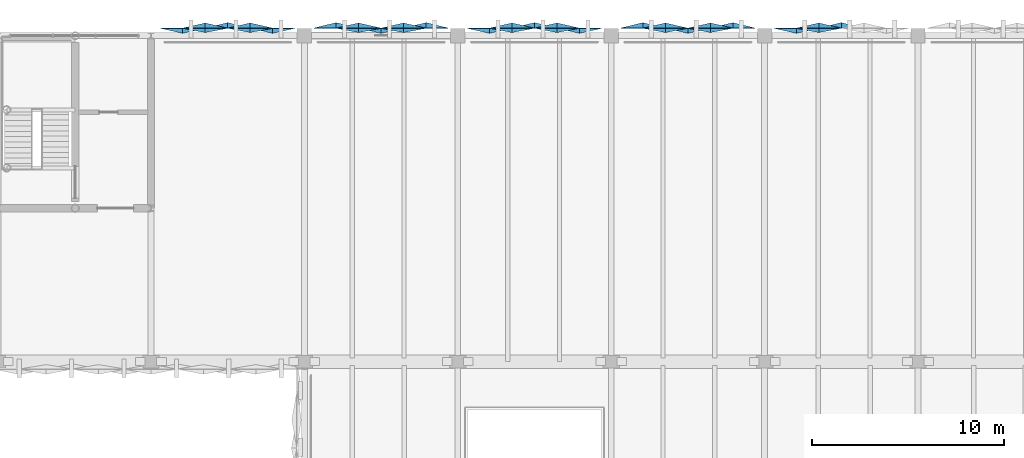
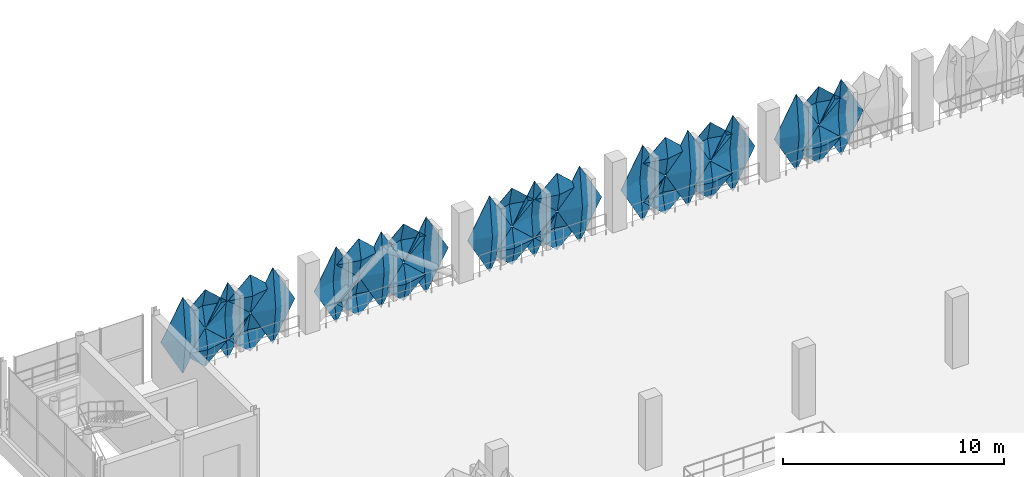
# One storey, part 67 of 83: 32 plates.
"""IFC4 building model written with IfcOpenShell, lengths in metres."""

from ifc_helpers import new_model, si_unit, derived_unit, direction, frame, origin, place, context, subcontext, project, spatial, polygons, material, layer, layer_set, type_object, element, save


model = new_model("IFC4")

# Units and contexts
model_context = context("Model", 3, precision=1e-05, world=origin(), true_north=direction((0.0, 1.0)))
body_context = subcontext(model_context, "Body", "Model", "MODEL_VIEW")
ifc_project = project(units=[si_unit("LENGTHUNIT", "METRE"), si_unit("AREAUNIT", "SQUARE_METRE"), si_unit("VOLUMEUNIT", "CUBIC_METRE"), si_unit("PLANEANGLEUNIT", "RADIAN"), si_unit("MASSUNIT", "GRAM", prefix="KILO"), si_unit("THERMODYNAMICTEMPERATUREUNIT", "KELVIN"), derived_unit("THERMALTRANSMITTANCEUNIT", [(si_unit("POWERUNIT", "WATT"), 1), (si_unit("AREAUNIT", "SQUARE_METRE"), -1), (si_unit("THERMODYNAMICTEMPERATUREUNIT", "KELVIN"), -1)])], contexts=[model_context])

# Site, building, storey
site_placement = place(None, origin())
site = spatial("IfcSite", under=ifc_project, at=site_placement, CompositionType="ELEMENT")
building_placement = place(site_placement, origin())
building = spatial("IfcBuilding", under=site, at=building_placement, Name="Haiyu Intermodal Mobility Hub", CompositionType="ELEMENT")
storey_placement = place(building_placement, frame((0.0, 0.0, 13.39990234375)))
storey = spatial("IfcBuildingStorey", under=building, at=storey_placement, Name="L03", CompositionType="ELEMENT", Elevation=13.39990234375)

# Plates
ifc_material = material(Name="Anodised aluminium 6063-T6", Category="aluminium")
ifc_layer_1 = layer(ifc_material, 0.01806640625)
ifc_layer_set_1 = layer_set([ifc_layer_1], Name="Anodised aluminium 6063-T6")
plate_type_1 = type_object("IfcPlateType", Name="PLT-FC01", PredefinedType="USERDEFINED", material=ifc_layer_set_1)
plate_1_placement = place(storey_placement, origin())
element("IfcPlate", 1, at=plate_1_placement, inside=storey, type_object=plate_type_1, Name="PLT-PYR-0018", ObjectType="FACADE CASSETTE", PredefinedType="USERDEFINED", context=body_context, shape_type="Tessellation", body=[
    polygons([(34.0, 148.39990234375, -0.510009765625), (32.846923828125, 148.39990234375, 1.60009765625), (34.0, 148.39990234375, 3.710205078125), (35.153076171875, 148.39990234375, 1.60009765625), (34.0, 148.679931640625, 1.60009765625), (34.0, 148.3779296875, -0.510009765625), (32.846923828125, 148.3779296875, 1.60009765625), (34.0, 148.3779296875, 3.710205078125), (35.153076171875, 148.3779296875, 1.60009765625), (34.0, 148.657958984375, 1.60009765625)], [[[1, 2, 5]], [[2, 3, 5]], [[3, 4, 5]], [[4, 1, 5]], [[7, 6, 10]], [[8, 7, 10]], [[9, 8, 10]], [[6, 9, 10]], [[1, 6, 7, 2]], [[2, 7, 8, 3]], [[3, 8, 9, 4]], [[4, 9, 6, 1]]], closed=True),
])
plate_2_placement = place(storey_placement, origin())
element("IfcPlate", 2, at=plate_2_placement, inside=storey, type_object=plate_type_1, Name="PLT-PYR-0020", ObjectType="FACADE CASSETTE", PredefinedType="USERDEFINED", context=body_context, shape_type="Tessellation", body=[
    polygons([(32.826904296875, 148.39990234375, 1.6201171875), (31.673095703125, 148.39990234375, 2.670166015625), (32.826904296875, 148.39990234375, 3.72021484375), (33.97998046875, 148.39990234375, 2.670166015625), (32.826904296875, 148.659912109375, 2.670166015625), (32.826904296875, 148.3779296875, 1.6201171875), (31.673095703125, 148.3779296875, 2.670166015625), (32.826904296875, 148.3779296875, 3.72021484375), (33.97998046875, 148.3779296875, 2.670166015625), (32.826904296875, 148.637939453125, 2.670166015625)], [[[1, 2, 5]], [[2, 3, 5]], [[3, 4, 5]], [[4, 1, 5]], [[7, 6, 10]], [[8, 7, 10]], [[9, 8, 10]], [[6, 9, 10]], [[1, 6, 7, 2]], [[2, 7, 8, 3]], [[3, 8, 9, 4]], [[4, 9, 6, 1]]], closed=True),
])
plate_3_placement = place(storey_placement, origin())
element("IfcPlate", 3, at=plate_3_placement, inside=storey, type_object=plate_type_1, Name="PLT-PYR-0052", ObjectType="FACADE CASSETTE", PredefinedType="USERDEFINED", context=body_context, shape_type="Tessellation", body=[
    polygons([(43.173095703125, 148.39990234375, 1.6201171875), (42.02001953125, 148.39990234375, 2.670166015625), (43.173095703125, 148.39990234375, 3.72021484375), (44.326904296875, 148.39990234375, 2.670166015625), (43.173095703125, 148.659912109375, 2.670166015625), (43.173095703125, 148.3779296875, 1.6201171875), (42.02001953125, 148.3779296875, 2.670166015625), (43.173095703125, 148.3779296875, 3.72021484375), (44.326904296875, 148.3779296875, 2.670166015625), (43.173095703125, 148.637939453125, 2.670166015625)], [[[1, 2, 5]], [[2, 3, 5]], [[3, 4, 5]], [[4, 1, 5]], [[7, 6, 10]], [[8, 7, 10]], [[9, 8, 10]], [[6, 9, 10]], [[1, 6, 7, 2]], [[2, 7, 8, 3]], [[3, 8, 9, 4]], [[4, 9, 6, 1]]], closed=True),
])
plate_4_placement = place(storey_placement, origin())
element("IfcPlate", 4, at=plate_4_placement, inside=storey, type_object=plate_type_1, Name="PLT-PYR-0088", ObjectType="FACADE CASSETTE", PredefinedType="USERDEFINED", context=body_context, shape_type="Tessellation", body=[
    polygons([(50.0, 148.39990234375, -0.510009765625), (48.846923828125, 148.39990234375, 1.60009765625), (50.0, 148.39990234375, 3.710205078125), (51.153076171875, 148.39990234375, 1.60009765625), (50.0, 148.679931640625, 1.60009765625), (50.0, 148.3779296875, -0.510009765625), (48.846923828125, 148.3779296875, 1.60009765625), (50.0, 148.3779296875, 3.710205078125), (51.153076171875, 148.3779296875, 1.60009765625), (50.0, 148.657958984375, 1.60009765625)], [[[1, 2, 5]], [[2, 3, 5]], [[3, 4, 5]], [[4, 1, 5]], [[7, 6, 10]], [[8, 7, 10]], [[9, 8, 10]], [[6, 9, 10]], [[1, 6, 7, 2]], [[2, 7, 8, 3]], [[3, 8, 9, 4]], [[4, 9, 6, 1]]], closed=True),
])
plate_5_placement = place(storey_placement, origin())
element("IfcPlate", 5, at=plate_5_placement, inside=storey, type_object=plate_type_1, Name="PLT-PYR-0090", ObjectType="FACADE CASSETTE", PredefinedType="USERDEFINED", context=body_context, shape_type="Tessellation", body=[
    polygons([(48.826904296875, 148.39990234375, 1.6201171875), (47.673095703125, 148.39990234375, 2.670166015625), (48.826904296875, 148.39990234375, 3.72021484375), (49.97998046875, 148.39990234375, 2.670166015625), (48.826904296875, 148.659912109375, 2.670166015625), (48.826904296875, 148.3779296875, 1.6201171875), (47.673095703125, 148.3779296875, 2.670166015625), (48.826904296875, 148.3779296875, 3.72021484375), (49.97998046875, 148.3779296875, 2.670166015625), (48.826904296875, 148.637939453125, 2.670166015625)], [[[1, 2, 5]], [[2, 3, 5]], [[3, 4, 5]], [[4, 1, 5]], [[7, 6, 10]], [[8, 7, 10]], [[9, 8, 10]], [[6, 9, 10]], [[1, 6, 7, 2]], [[2, 7, 8, 3]], [[3, 8, 9, 4]], [[4, 9, 6, 1]]], closed=True),
])
plate_6_placement = place(storey_placement, origin())
element("IfcPlate", 6, at=plate_6_placement, inside=storey, type_object=plate_type_1, Name="PLT-PYR-0122", ObjectType="FACADE CASSETTE", PredefinedType="USERDEFINED", context=body_context, shape_type="Tessellation", body=[
    polygons([(59.173095703125, 148.39990234375, 1.6201171875), (58.02001953125, 148.39990234375, 2.670166015625), (59.173095703125, 148.39990234375, 3.72021484375), (60.326904296875, 148.39990234375, 2.670166015625), (59.173095703125, 148.659912109375, 2.670166015625), (59.173095703125, 148.3779296875, 1.6201171875), (58.02001953125, 148.3779296875, 2.670166015625), (59.173095703125, 148.3779296875, 3.72021484375), (60.326904296875, 148.3779296875, 2.670166015625), (59.173095703125, 148.637939453125, 2.670166015625)], [[[1, 2, 5]], [[2, 3, 5]], [[3, 4, 5]], [[4, 1, 5]], [[7, 6, 10]], [[8, 7, 10]], [[9, 8, 10]], [[6, 9, 10]], [[1, 6, 7, 2]], [[2, 7, 8, 3]], [[3, 8, 9, 4]], [[4, 9, 6, 1]]], closed=True),
])
plate_7_placement = place(storey_placement, origin())
element("IfcPlate", 7, at=plate_7_placement, inside=storey, type_object=plate_type_1, Name="PLT-PYR-0158", ObjectType="FACADE CASSETTE", PredefinedType="USERDEFINED", context=body_context, shape_type="Tessellation", body=[
    polygons([(66.0, 148.39990234375, -0.510009765625), (64.846923828125, 148.39990234375, 1.60009765625), (66.0, 148.39990234375, 3.710205078125), (67.153076171875, 148.39990234375, 1.60009765625), (66.0, 148.679931640625, 1.60009765625), (66.0, 148.3779296875, -0.510009765625), (64.846923828125, 148.3779296875, 1.60009765625), (66.0, 148.3779296875, 3.710205078125), (67.153076171875, 148.3779296875, 1.60009765625), (66.0, 148.657958984375, 1.60009765625)], [[[1, 2, 5]], [[2, 3, 5]], [[3, 4, 5]], [[4, 1, 5]], [[7, 6, 10]], [[8, 7, 10]], [[9, 8, 10]], [[6, 9, 10]], [[1, 6, 7, 2]], [[2, 7, 8, 3]], [[3, 8, 9, 4]], [[4, 9, 6, 1]]], closed=True),
])
plate_8_placement = place(storey_placement, origin())
element("IfcPlate", 8, at=plate_8_placement, inside=storey, type_object=plate_type_1, Name="PLT-PYR-0160", ObjectType="FACADE CASSETTE", PredefinedType="USERDEFINED", context=body_context, shape_type="Tessellation", body=[
    polygons([(64.826904296875, 148.39990234375, 1.6201171875), (63.673095703125, 148.39990234375, 2.670166015625), (64.826904296875, 148.39990234375, 3.72021484375), (65.97998046875, 148.39990234375, 2.670166015625), (64.826904296875, 148.659912109375, 2.670166015625), (64.826904296875, 148.3779296875, 1.6201171875), (63.673095703125, 148.3779296875, 2.670166015625), (64.826904296875, 148.3779296875, 3.72021484375), (65.97998046875, 148.3779296875, 2.670166015625), (64.826904296875, 148.637939453125, 2.670166015625)], [[[1, 2, 5]], [[2, 3, 5]], [[3, 4, 5]], [[4, 1, 5]], [[7, 6, 10]], [[8, 7, 10]], [[9, 8, 10]], [[6, 9, 10]], [[1, 6, 7, 2]], [[2, 7, 8, 3]], [[3, 8, 9, 4]], [[4, 9, 6, 1]]], closed=True),
])
ifc_layer_2 = layer(ifc_material, 0.02001953125)
ifc_layer_set_2 = layer_set([ifc_layer_2], Name="Anodised aluminium 6063-T6")
plate_type_2 = type_object("IfcPlateType", Name="PLT-FC02", PredefinedType="USERDEFINED", material=ifc_layer_set_2)
plate_9_placement = place(storey_placement, origin())
element("IfcPlate", 9, at=plate_9_placement, inside=storey, type_object=plate_type_2, Name="PLT-PYR-0017", ObjectType="FACADE CASSETTE", PredefinedType="USERDEFINED", context=body_context, shape_type="Tessellation", body=[
    polygons([(35.173095703125, 148.39990234375, 1.6201171875), (34.02001953125, 148.39990234375, 2.670166015625), (35.173095703125, 148.39990234375, 3.72021484375), (36.326904296875, 148.39990234375, 2.670166015625), (35.173095703125, 148.179931640625, 2.670166015625), (35.173095703125, 148.3779296875, 1.6201171875), (34.02001953125, 148.3779296875, 2.670166015625), (35.173095703125, 148.3779296875, 3.72021484375), (36.326904296875, 148.3779296875, 2.670166015625), (35.173095703125, 148.157958984375, 2.670166015625)], [[[1, 2, 5]], [[2, 3, 5]], [[3, 4, 5]], [[4, 1, 5]], [[7, 6, 10]], [[8, 7, 10]], [[9, 8, 10]], [[6, 9, 10]], [[1, 6, 7, 2]], [[2, 7, 8, 3]], [[3, 8, 9, 4]], [[4, 9, 6, 1]]], closed=True),
])
plate_10_placement = place(storey_placement, origin())
element("IfcPlate", 10, at=plate_10_placement, inside=storey, type_object=plate_type_2, Name="PLT-PYR-0053", ObjectType="FACADE CASSETTE", PredefinedType="USERDEFINED", context=body_context, shape_type="Tessellation", body=[
    polygons([(42.0, 148.39990234375, -0.510009765625), (40.846923828125, 148.39990234375, 1.60009765625), (42.0, 148.39990234375, 3.710205078125), (43.153076171875, 148.39990234375, 1.60009765625), (42.0, 148.139892578125, 1.60009765625), (42.0, 148.3779296875, -0.510009765625), (40.846923828125, 148.3779296875, 1.60009765625), (42.0, 148.3779296875, 3.710205078125), (43.153076171875, 148.3779296875, 1.60009765625), (42.0, 148.117919921875, 1.60009765625)], [[[1, 2, 5]], [[2, 3, 5]], [[3, 4, 5]], [[4, 1, 5]], [[7, 6, 10]], [[8, 7, 10]], [[9, 8, 10]], [[6, 9, 10]], [[1, 6, 7, 2]], [[2, 7, 8, 3]], [[3, 8, 9, 4]], [[4, 9, 6, 1]]], closed=True),
])
plate_11_placement = place(storey_placement, origin())
element("IfcPlate", 11, at=plate_11_placement, inside=storey, type_object=plate_type_2, Name="PLT-PYR-0055", ObjectType="FACADE CASSETTE", PredefinedType="USERDEFINED", context=body_context, shape_type="Tessellation", body=[
    polygons([(40.826904296875, 148.39990234375, 1.6201171875), (39.673095703125, 148.39990234375, 2.670166015625), (40.826904296875, 148.39990234375, 3.72021484375), (41.97998046875, 148.39990234375, 2.670166015625), (40.826904296875, 148.179931640625, 2.670166015625), (40.826904296875, 148.3779296875, 1.6201171875), (39.673095703125, 148.3779296875, 2.670166015625), (40.826904296875, 148.3779296875, 3.72021484375), (41.97998046875, 148.3779296875, 2.670166015625), (40.826904296875, 148.157958984375, 2.670166015625)], [[[1, 2, 5]], [[2, 3, 5]], [[3, 4, 5]], [[4, 1, 5]], [[7, 6, 10]], [[8, 7, 10]], [[9, 8, 10]], [[6, 9, 10]], [[1, 6, 7, 2]], [[2, 7, 8, 3]], [[3, 8, 9, 4]], [[4, 9, 6, 1]]], closed=True),
])
plate_12_placement = place(storey_placement, origin())
element("IfcPlate", 12, at=plate_12_placement, inside=storey, type_object=plate_type_2, Name="PLT-PYR-0087", ObjectType="FACADE CASSETTE", PredefinedType="USERDEFINED", context=body_context, shape_type="Tessellation", body=[
    polygons([(51.173095703125, 148.39990234375, 1.6201171875), (50.02001953125, 148.39990234375, 2.670166015625), (51.173095703125, 148.39990234375, 3.72021484375), (52.326904296875, 148.39990234375, 2.670166015625), (51.173095703125, 148.179931640625, 2.670166015625), (51.173095703125, 148.3779296875, 1.6201171875), (50.02001953125, 148.3779296875, 2.670166015625), (51.173095703125, 148.3779296875, 3.72021484375), (52.326904296875, 148.3779296875, 2.670166015625), (51.173095703125, 148.157958984375, 2.670166015625)], [[[1, 2, 5]], [[2, 3, 5]], [[3, 4, 5]], [[4, 1, 5]], [[7, 6, 10]], [[8, 7, 10]], [[9, 8, 10]], [[6, 9, 10]], [[1, 6, 7, 2]], [[2, 7, 8, 3]], [[3, 8, 9, 4]], [[4, 9, 6, 1]]], closed=True),
])
plate_13_placement = place(storey_placement, origin())
element("IfcPlate", 13, at=plate_13_placement, inside=storey, type_object=plate_type_2, Name="PLT-PYR-0123", ObjectType="FACADE CASSETTE", PredefinedType="USERDEFINED", context=body_context, shape_type="Tessellation", body=[
    polygons([(58.0, 148.39990234375, -0.510009765625), (56.846923828125, 148.39990234375, 1.60009765625), (58.0, 148.39990234375, 3.710205078125), (59.153076171875, 148.39990234375, 1.60009765625), (58.0, 148.139892578125, 1.60009765625), (58.0, 148.3779296875, -0.510009765625), (56.846923828125, 148.3779296875, 1.60009765625), (58.0, 148.3779296875, 3.710205078125), (59.153076171875, 148.3779296875, 1.60009765625), (58.0, 148.117919921875, 1.60009765625)], [[[1, 2, 5]], [[2, 3, 5]], [[3, 4, 5]], [[4, 1, 5]], [[7, 6, 10]], [[8, 7, 10]], [[9, 8, 10]], [[6, 9, 10]], [[1, 6, 7, 2]], [[2, 7, 8, 3]], [[3, 8, 9, 4]], [[4, 9, 6, 1]]], closed=True),
])
plate_14_placement = place(storey_placement, origin())
element("IfcPlate", 14, at=plate_14_placement, inside=storey, type_object=plate_type_2, Name="PLT-PYR-0125", ObjectType="FACADE CASSETTE", PredefinedType="USERDEFINED", context=body_context, shape_type="Tessellation", body=[
    polygons([(56.826904296875, 148.39990234375, 1.6201171875), (55.673095703125, 148.39990234375, 2.670166015625), (56.826904296875, 148.39990234375, 3.72021484375), (57.97998046875, 148.39990234375, 2.670166015625), (56.826904296875, 148.179931640625, 2.670166015625), (56.826904296875, 148.3779296875, 1.6201171875), (55.673095703125, 148.3779296875, 2.670166015625), (56.826904296875, 148.3779296875, 3.72021484375), (57.97998046875, 148.3779296875, 2.670166015625), (56.826904296875, 148.157958984375, 2.670166015625)], [[[1, 2, 5]], [[2, 3, 5]], [[3, 4, 5]], [[4, 1, 5]], [[7, 6, 10]], [[8, 7, 10]], [[9, 8, 10]], [[6, 9, 10]], [[1, 6, 7, 2]], [[2, 7, 8, 3]], [[3, 8, 9, 4]], [[4, 9, 6, 1]]], closed=True),
])
ifc_layer_3 = layer(ifc_material, 0.01806640625)
ifc_layer_set_3 = layer_set([ifc_layer_3], Name="Anodised aluminium 6063-T6")
plate_type_3 = type_object("IfcPlateType", Name="PLT-FC03", PredefinedType="USERDEFINED", material=ifc_layer_set_3)
plate_15_placement = place(storey_placement, origin())
element("IfcPlate", 15, at=plate_15_placement, inside=storey, type_object=plate_type_3, Name="PLT-PYR-0056", ObjectType="FACADE CASSETTE", PredefinedType="USERDEFINED", context=body_context, shape_type="Tessellation", body=[
    polygons([(39.653076171875, 148.39990234375, -0.510009765625), (38.5, 148.39990234375, 1.60009765625), (39.653076171875, 148.39990234375, 3.710205078125), (40.806884765625, 148.39990234375, 1.60009765625), (39.653076171875, 148.679931640625, 1.60009765625), (39.653076171875, 148.3779296875, -0.510009765625), (38.5, 148.3779296875, 1.60009765625), (39.653076171875, 148.3779296875, 3.710205078125), (40.806884765625, 148.3779296875, 1.60009765625), (39.653076171875, 148.657958984375, 1.60009765625)], [[[1, 2, 5]], [[2, 3, 5]], [[3, 4, 5]], [[4, 1, 5]], [[7, 6, 10]], [[8, 7, 10]], [[9, 8, 10]], [[6, 9, 10]], [[1, 6, 7, 2]], [[2, 7, 8, 3]], [[3, 8, 9, 4]], [[4, 9, 6, 1]]], closed=True),
])
plate_16_placement = place(storey_placement, origin())
element("IfcPlate", 16, at=plate_16_placement, inside=storey, type_object=plate_type_3, Name="PLT-PYR-0126", ObjectType="FACADE CASSETTE", PredefinedType="USERDEFINED", context=body_context, shape_type="Tessellation", body=[
    polygons([(55.653076171875, 148.39990234375, -0.510009765625), (54.5, 148.39990234375, 1.60009765625), (55.653076171875, 148.39990234375, 3.710205078125), (56.806884765625, 148.39990234375, 1.60009765625), (55.653076171875, 148.679931640625, 1.60009765625), (55.653076171875, 148.3779296875, -0.510009765625), (54.5, 148.3779296875, 1.60009765625), (55.653076171875, 148.3779296875, 3.710205078125), (56.806884765625, 148.3779296875, 1.60009765625), (55.653076171875, 148.657958984375, 1.60009765625)], [[[1, 2, 5]], [[2, 3, 5]], [[3, 4, 5]], [[4, 1, 5]], [[7, 6, 10]], [[8, 7, 10]], [[9, 8, 10]], [[6, 9, 10]], [[1, 6, 7, 2]], [[2, 7, 8, 3]], [[3, 8, 9, 4]], [[4, 9, 6, 1]]], closed=True),
])
ifc_layer_4 = layer(ifc_material, 0.02001953125)
ifc_layer_set_4 = layer_set([ifc_layer_4], Name="Anodised aluminium 6063-T6")
plate_type_4 = type_object("IfcPlateType", Name="PLT-FC04", PredefinedType="USERDEFINED", material=ifc_layer_set_4)
plate_17_placement = place(storey_placement, origin())
element("IfcPlate", 17, at=plate_17_placement, inside=storey, type_object=plate_type_4, Name="PLT-PYR-0021", ObjectType="FACADE CASSETTE", PredefinedType="USERDEFINED", context=body_context, shape_type="Tessellation", body=[
    polygons([(31.653076171875, 148.39990234375, -0.510009765625), (30.5, 148.39990234375, 1.60009765625), (31.653076171875, 148.39990234375, 3.710205078125), (32.806884765625, 148.39990234375, 1.60009765625), (31.653076171875, 148.139892578125, 1.60009765625), (31.653076171875, 148.3779296875, -0.510009765625), (30.5, 148.3779296875, 1.60009765625), (31.653076171875, 148.3779296875, 3.710205078125), (32.806884765625, 148.3779296875, 1.60009765625), (31.653076171875, 148.117919921875, 1.60009765625)], [[[1, 2, 5]], [[2, 3, 5]], [[3, 4, 5]], [[4, 1, 5]], [[7, 6, 10]], [[8, 7, 10]], [[9, 8, 10]], [[6, 9, 10]], [[1, 6, 7, 2]], [[2, 7, 8, 3]], [[3, 8, 9, 4]], [[4, 9, 6, 1]]], closed=True),
])
plate_18_placement = place(storey_placement, origin())
element("IfcPlate", 18, at=plate_18_placement, inside=storey, type_object=plate_type_4, Name="PLT-PYR-0091", ObjectType="FACADE CASSETTE", PredefinedType="USERDEFINED", context=body_context, shape_type="Tessellation", body=[
    polygons([(47.653076171875, 148.39990234375, -0.510009765625), (46.5, 148.39990234375, 1.60009765625), (47.653076171875, 148.39990234375, 3.710205078125), (48.806884765625, 148.39990234375, 1.60009765625), (47.653076171875, 148.139892578125, 1.60009765625), (47.653076171875, 148.3779296875, -0.510009765625), (46.5, 148.3779296875, 1.60009765625), (47.653076171875, 148.3779296875, 3.710205078125), (48.806884765625, 148.3779296875, 1.60009765625), (47.653076171875, 148.117919921875, 1.60009765625)], [[[1, 2, 5]], [[2, 3, 5]], [[3, 4, 5]], [[4, 1, 5]], [[7, 6, 10]], [[8, 7, 10]], [[9, 8, 10]], [[6, 9, 10]], [[1, 6, 7, 2]], [[2, 7, 8, 3]], [[3, 8, 9, 4]], [[4, 9, 6, 1]]], closed=True),
])
plate_19_placement = place(storey_placement, origin())
element("IfcPlate", 19, at=plate_19_placement, inside=storey, type_object=plate_type_4, Name="PLT-PYR-0161", ObjectType="FACADE CASSETTE", PredefinedType="USERDEFINED", context=body_context, shape_type="Tessellation", body=[
    polygons([(63.653076171875, 148.39990234375, -0.510009765625), (62.5, 148.39990234375, 1.60009765625), (63.653076171875, 148.39990234375, 3.710205078125), (64.806884765625, 148.39990234375, 1.60009765625), (63.653076171875, 148.139892578125, 1.60009765625), (63.653076171875, 148.3779296875, -0.510009765625), (62.5, 148.3779296875, 1.60009765625), (63.653076171875, 148.3779296875, 3.710205078125), (64.806884765625, 148.3779296875, 1.60009765625), (63.653076171875, 148.117919921875, 1.60009765625)], [[[1, 2, 5]], [[2, 3, 5]], [[3, 4, 5]], [[4, 1, 5]], [[7, 6, 10]], [[8, 7, 10]], [[9, 8, 10]], [[6, 9, 10]], [[1, 6, 7, 2]], [[2, 7, 8, 3]], [[3, 8, 9, 4]], [[4, 9, 6, 1]]], closed=True),
])
ifc_layer_5 = layer(ifc_material, 0.02197265625)
ifc_layer_set_5 = layer_set([ifc_layer_5], Name="Anodised aluminium 6063-T6")
plate_type_5 = type_object("IfcPlateType", Name="PLT-FC07", PredefinedType="USERDEFINED", material=ifc_layer_set_5)
plate_20_placement = place(storey_placement, origin())
element("IfcPlate", 20, at=plate_20_placement, inside=storey, type_object=plate_type_5, Name="PLT-PYR-0016", ObjectType="FACADE CASSETTE", PredefinedType="USERDEFINED", context=body_context, shape_type="Tessellation", body=[
    polygons([(35.173095703125, 148.39990234375, -0.52001953125), (34.02001953125, 148.39990234375, 0.530029296875), (35.173095703125, 148.39990234375, 1.580078125), (36.326904296875, 148.39990234375, 0.530029296875), (35.173095703125, 148.659912109375, 0.530029296875), (35.173095703125, 148.3779296875, -0.52001953125), (34.02001953125, 148.3779296875, 0.530029296875), (35.173095703125, 148.3779296875, 1.580078125), (36.326904296875, 148.3779296875, 0.530029296875), (35.173095703125, 148.637939453125, 0.530029296875)], [[[1, 2, 5]], [[2, 3, 5]], [[3, 4, 5]], [[4, 1, 5]], [[7, 6, 10]], [[8, 7, 10]], [[9, 8, 10]], [[6, 9, 10]], [[1, 6, 7, 2]], [[2, 7, 8, 3]], [[3, 8, 9, 4]], [[4, 9, 6, 1]]], closed=True),
])
plate_21_placement = place(storey_placement, origin())
element("IfcPlate", 21, at=plate_21_placement, inside=storey, type_object=plate_type_5, Name="PLT-PYR-0050", ObjectType="FACADE CASSETTE", PredefinedType="USERDEFINED", context=body_context, shape_type="Tessellation", body=[
    polygons([(44.346923828125, 148.39990234375, -0.510009765625), (43.193115234375, 148.39990234375, 1.60009765625), (44.346923828125, 148.39990234375, 3.710205078125), (45.5, 148.39990234375, 1.60009765625), (44.346923828125, 148.679931640625, 1.60009765625), (44.346923828125, 148.3779296875, -0.510009765625), (43.193115234375, 148.3779296875, 1.60009765625), (44.346923828125, 148.3779296875, 3.710205078125), (45.5, 148.3779296875, 1.60009765625), (44.346923828125, 148.657958984375, 1.60009765625)], [[[1, 2, 5]], [[2, 3, 5]], [[3, 4, 5]], [[4, 1, 5]], [[7, 6, 10]], [[8, 7, 10]], [[9, 8, 10]], [[6, 9, 10]], [[1, 6, 7, 2]], [[2, 7, 8, 3]], [[3, 8, 9, 4]], [[4, 9, 6, 1]]], closed=True),
])
plate_22_placement = place(storey_placement, origin())
element("IfcPlate", 22, at=plate_22_placement, inside=storey, type_object=plate_type_5, Name="PLT-PYR-0054", ObjectType="FACADE CASSETTE", PredefinedType="USERDEFINED", context=body_context, shape_type="Tessellation", body=[
    polygons([(40.826904296875, 148.39990234375, -0.52001953125), (39.673095703125, 148.39990234375, 0.530029296875), (40.826904296875, 148.39990234375, 1.580078125), (41.97998046875, 148.39990234375, 0.530029296875), (40.826904296875, 148.659912109375, 0.530029296875), (40.826904296875, 148.3779296875, -0.52001953125), (39.673095703125, 148.3779296875, 0.530029296875), (40.826904296875, 148.3779296875, 1.580078125), (41.97998046875, 148.3779296875, 0.530029296875), (40.826904296875, 148.637939453125, 0.530029296875)], [[[1, 2, 5]], [[2, 3, 5]], [[3, 4, 5]], [[4, 1, 5]], [[7, 6, 10]], [[8, 7, 10]], [[9, 8, 10]], [[6, 9, 10]], [[1, 6, 7, 2]], [[2, 7, 8, 3]], [[3, 8, 9, 4]], [[4, 9, 6, 1]]], closed=True),
])
plate_23_placement = place(storey_placement, origin())
element("IfcPlate", 23, at=plate_23_placement, inside=storey, type_object=plate_type_5, Name="PLT-PYR-0086", ObjectType="FACADE CASSETTE", PredefinedType="USERDEFINED", context=body_context, shape_type="Tessellation", body=[
    polygons([(51.173095703125, 148.39990234375, -0.52001953125), (50.02001953125, 148.39990234375, 0.530029296875), (51.173095703125, 148.39990234375, 1.580078125), (52.326904296875, 148.39990234375, 0.530029296875), (51.173095703125, 148.659912109375, 0.530029296875), (51.173095703125, 148.3779296875, -0.52001953125), (50.02001953125, 148.3779296875, 0.530029296875), (51.173095703125, 148.3779296875, 1.580078125), (52.326904296875, 148.3779296875, 0.530029296875), (51.173095703125, 148.637939453125, 0.530029296875)], [[[1, 2, 5]], [[2, 3, 5]], [[3, 4, 5]], [[4, 1, 5]], [[7, 6, 10]], [[8, 7, 10]], [[9, 8, 10]], [[6, 9, 10]], [[1, 6, 7, 2]], [[2, 7, 8, 3]], [[3, 8, 9, 4]], [[4, 9, 6, 1]]], closed=True),
])
plate_24_placement = place(storey_placement, origin())
element("IfcPlate", 24, at=plate_24_placement, inside=storey, type_object=plate_type_5, Name="PLT-PYR-0120", ObjectType="FACADE CASSETTE", PredefinedType="USERDEFINED", context=body_context, shape_type="Tessellation", body=[
    polygons([(60.346923828125, 148.39990234375, -0.510009765625), (59.193115234375, 148.39990234375, 1.60009765625), (60.346923828125, 148.39990234375, 3.710205078125), (61.5, 148.39990234375, 1.60009765625), (60.346923828125, 148.679931640625, 1.60009765625), (60.346923828125, 148.3779296875, -0.510009765625), (59.193115234375, 148.3779296875, 1.60009765625), (60.346923828125, 148.3779296875, 3.710205078125), (61.5, 148.3779296875, 1.60009765625), (60.346923828125, 148.657958984375, 1.60009765625)], [[[1, 2, 5]], [[2, 3, 5]], [[3, 4, 5]], [[4, 1, 5]], [[7, 6, 10]], [[8, 7, 10]], [[9, 8, 10]], [[6, 9, 10]], [[1, 6, 7, 2]], [[2, 7, 8, 3]], [[3, 8, 9, 4]], [[4, 9, 6, 1]]], closed=True),
])
plate_25_placement = place(storey_placement, origin())
element("IfcPlate", 25, at=plate_25_placement, inside=storey, type_object=plate_type_5, Name="PLT-PYR-0124", ObjectType="FACADE CASSETTE", PredefinedType="USERDEFINED", context=body_context, shape_type="Tessellation", body=[
    polygons([(56.826904296875, 148.39990234375, -0.52001953125), (55.673095703125, 148.39990234375, 0.530029296875), (56.826904296875, 148.39990234375, 1.580078125), (57.97998046875, 148.39990234375, 0.530029296875), (56.826904296875, 148.659912109375, 0.530029296875), (56.826904296875, 148.3779296875, -0.52001953125), (55.673095703125, 148.3779296875, 0.530029296875), (56.826904296875, 148.3779296875, 1.580078125), (57.97998046875, 148.3779296875, 0.530029296875), (56.826904296875, 148.637939453125, 0.530029296875)], [[[1, 2, 5]], [[2, 3, 5]], [[3, 4, 5]], [[4, 1, 5]], [[7, 6, 10]], [[8, 7, 10]], [[9, 8, 10]], [[6, 9, 10]], [[1, 6, 7, 2]], [[2, 7, 8, 3]], [[3, 8, 9, 4]], [[4, 9, 6, 1]]], closed=True),
])
ifc_layer_6 = layer(ifc_material, 0.02392578125)
ifc_layer_set_6 = layer_set([ifc_layer_6], Name="Anodised aluminium 6063-T6")
plate_type_6 = type_object("IfcPlateType", Name="PLT-FC08", PredefinedType="USERDEFINED", material=ifc_layer_set_6)
plate_26_placement = place(storey_placement, origin())
element("IfcPlate", 26, at=plate_26_placement, inside=storey, type_object=plate_type_6, Name="PLT-PYR-0015", ObjectType="FACADE CASSETTE", PredefinedType="USERDEFINED", context=body_context, shape_type="Tessellation", body=[
    polygons([(36.346923828125, 148.39990234375, -0.510009765625), (35.193115234375, 148.39990234375, 1.60009765625), (36.346923828125, 148.39990234375, 3.710205078125), (37.5, 148.39990234375, 1.60009765625), (36.346923828125, 148.139892578125, 1.60009765625), (36.346923828125, 148.3779296875, -0.510009765625), (35.193115234375, 148.3779296875, 1.60009765625), (36.346923828125, 148.3779296875, 3.710205078125), (37.5, 148.3779296875, 1.60009765625), (36.346923828125, 148.117919921875, 1.60009765625)], [[[1, 2, 5]], [[2, 3, 5]], [[3, 4, 5]], [[4, 1, 5]], [[7, 6, 10]], [[8, 7, 10]], [[9, 8, 10]], [[6, 9, 10]], [[1, 6, 7, 2]], [[2, 7, 8, 3]], [[3, 8, 9, 4]], [[4, 9, 6, 1]]], closed=True),
])
plate_27_placement = place(storey_placement, origin())
element("IfcPlate", 27, at=plate_27_placement, inside=storey, type_object=plate_type_6, Name="PLT-PYR-0019", ObjectType="FACADE CASSETTE", PredefinedType="USERDEFINED", context=body_context, shape_type="Tessellation", body=[
    polygons([(32.826904296875, 148.39990234375, -0.52001953125), (31.673095703125, 148.39990234375, 0.530029296875), (32.826904296875, 148.39990234375, 1.580078125), (33.97998046875, 148.39990234375, 0.530029296875), (32.826904296875, 148.179931640625, 0.530029296875), (32.826904296875, 148.3779296875, -0.52001953125), (31.673095703125, 148.3779296875, 0.530029296875), (32.826904296875, 148.3779296875, 1.580078125), (33.97998046875, 148.3779296875, 0.530029296875), (32.826904296875, 148.157958984375, 0.530029296875)], [[[1, 2, 5]], [[2, 3, 5]], [[3, 4, 5]], [[4, 1, 5]], [[7, 6, 10]], [[8, 7, 10]], [[9, 8, 10]], [[6, 9, 10]], [[1, 6, 7, 2]], [[2, 7, 8, 3]], [[3, 8, 9, 4]], [[4, 9, 6, 1]]], closed=True),
])
plate_28_placement = place(storey_placement, origin())
element("IfcPlate", 28, at=plate_28_placement, inside=storey, type_object=plate_type_6, Name="PLT-PYR-0051", ObjectType="FACADE CASSETTE", PredefinedType="USERDEFINED", context=body_context, shape_type="Tessellation", body=[
    polygons([(43.173095703125, 148.39990234375, -0.52001953125), (42.02001953125, 148.39990234375, 0.530029296875), (43.173095703125, 148.39990234375, 1.580078125), (44.326904296875, 148.39990234375, 0.530029296875), (43.173095703125, 148.179931640625, 0.530029296875), (43.173095703125, 148.3779296875, -0.52001953125), (42.02001953125, 148.3779296875, 0.530029296875), (43.173095703125, 148.3779296875, 1.580078125), (44.326904296875, 148.3779296875, 0.530029296875), (43.173095703125, 148.157958984375, 0.530029296875)], [[[1, 2, 5]], [[2, 3, 5]], [[3, 4, 5]], [[4, 1, 5]], [[7, 6, 10]], [[8, 7, 10]], [[9, 8, 10]], [[6, 9, 10]], [[1, 6, 7, 2]], [[2, 7, 8, 3]], [[3, 8, 9, 4]], [[4, 9, 6, 1]]], closed=True),
])
plate_29_placement = place(storey_placement, origin())
element("IfcPlate", 29, at=plate_29_placement, inside=storey, type_object=plate_type_6, Name="PLT-PYR-0085", ObjectType="FACADE CASSETTE", PredefinedType="USERDEFINED", context=body_context, shape_type="Tessellation", body=[
    polygons([(52.346923828125, 148.39990234375, -0.510009765625), (51.193115234375, 148.39990234375, 1.60009765625), (52.346923828125, 148.39990234375, 3.710205078125), (53.5, 148.39990234375, 1.60009765625), (52.346923828125, 148.139892578125, 1.60009765625), (52.346923828125, 148.3779296875, -0.510009765625), (51.193115234375, 148.3779296875, 1.60009765625), (52.346923828125, 148.3779296875, 3.710205078125), (53.5, 148.3779296875, 1.60009765625), (52.346923828125, 148.117919921875, 1.60009765625)], [[[1, 2, 5]], [[2, 3, 5]], [[3, 4, 5]], [[4, 1, 5]], [[7, 6, 10]], [[8, 7, 10]], [[9, 8, 10]], [[6, 9, 10]], [[1, 6, 7, 2]], [[2, 7, 8, 3]], [[3, 8, 9, 4]], [[4, 9, 6, 1]]], closed=True),
])
plate_30_placement = place(storey_placement, origin())
element("IfcPlate", 30, at=plate_30_placement, inside=storey, type_object=plate_type_6, Name="PLT-PYR-0089", ObjectType="FACADE CASSETTE", PredefinedType="USERDEFINED", context=body_context, shape_type="Tessellation", body=[
    polygons([(48.826904296875, 148.39990234375, -0.52001953125), (47.673095703125, 148.39990234375, 0.530029296875), (48.826904296875, 148.39990234375, 1.580078125), (49.97998046875, 148.39990234375, 0.530029296875), (48.826904296875, 148.179931640625, 0.530029296875), (48.826904296875, 148.3779296875, -0.52001953125), (47.673095703125, 148.3779296875, 0.530029296875), (48.826904296875, 148.3779296875, 1.580078125), (49.97998046875, 148.3779296875, 0.530029296875), (48.826904296875, 148.157958984375, 0.530029296875)], [[[1, 2, 5]], [[2, 3, 5]], [[3, 4, 5]], [[4, 1, 5]], [[7, 6, 10]], [[8, 7, 10]], [[9, 8, 10]], [[6, 9, 10]], [[1, 6, 7, 2]], [[2, 7, 8, 3]], [[3, 8, 9, 4]], [[4, 9, 6, 1]]], closed=True),
])
plate_31_placement = place(storey_placement, origin())
element("IfcPlate", 31, at=plate_31_placement, inside=storey, type_object=plate_type_6, Name="PLT-PYR-0121", ObjectType="FACADE CASSETTE", PredefinedType="USERDEFINED", context=body_context, shape_type="Tessellation", body=[
    polygons([(59.173095703125, 148.39990234375, -0.52001953125), (58.02001953125, 148.39990234375, 0.530029296875), (59.173095703125, 148.39990234375, 1.580078125), (60.326904296875, 148.39990234375, 0.530029296875), (59.173095703125, 148.179931640625, 0.530029296875), (59.173095703125, 148.3779296875, -0.52001953125), (58.02001953125, 148.3779296875, 0.530029296875), (59.173095703125, 148.3779296875, 1.580078125), (60.326904296875, 148.3779296875, 0.530029296875), (59.173095703125, 148.157958984375, 0.530029296875)], [[[1, 2, 5]], [[2, 3, 5]], [[3, 4, 5]], [[4, 1, 5]], [[7, 6, 10]], [[8, 7, 10]], [[9, 8, 10]], [[6, 9, 10]], [[1, 6, 7, 2]], [[2, 7, 8, 3]], [[3, 8, 9, 4]], [[4, 9, 6, 1]]], closed=True),
])
plate_32_placement = place(storey_placement, origin())
element("IfcPlate", 32, at=plate_32_placement, inside=storey, type_object=plate_type_6, Name="PLT-PYR-0159", ObjectType="FACADE CASSETTE", PredefinedType="USERDEFINED", context=body_context, shape_type="Tessellation", body=[
    polygons([(64.826904296875, 148.39990234375, -0.52001953125), (63.673095703125, 148.39990234375, 0.530029296875), (64.826904296875, 148.39990234375, 1.580078125), (65.97998046875, 148.39990234375, 0.530029296875), (64.826904296875, 148.179931640625, 0.530029296875), (64.826904296875, 148.3779296875, -0.52001953125), (63.673095703125, 148.3779296875, 0.530029296875), (64.826904296875, 148.3779296875, 1.580078125), (65.97998046875, 148.3779296875, 0.530029296875), (64.826904296875, 148.157958984375, 0.530029296875)], [[[1, 2, 5]], [[2, 3, 5]], [[3, 4, 5]], [[4, 1, 5]], [[7, 6, 10]], [[8, 7, 10]], [[9, 8, 10]], [[6, 9, 10]], [[1, 6, 7, 2]], [[2, 7, 8, 3]], [[3, 8, 9, 4]], [[4, 9, 6, 1]]], closed=True),
])

save(model, "model.ifc")
